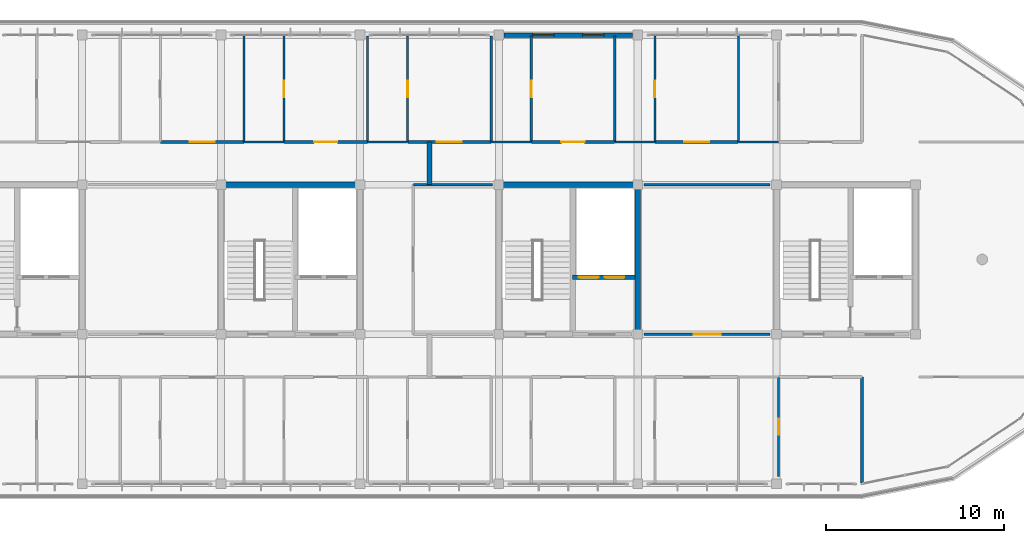
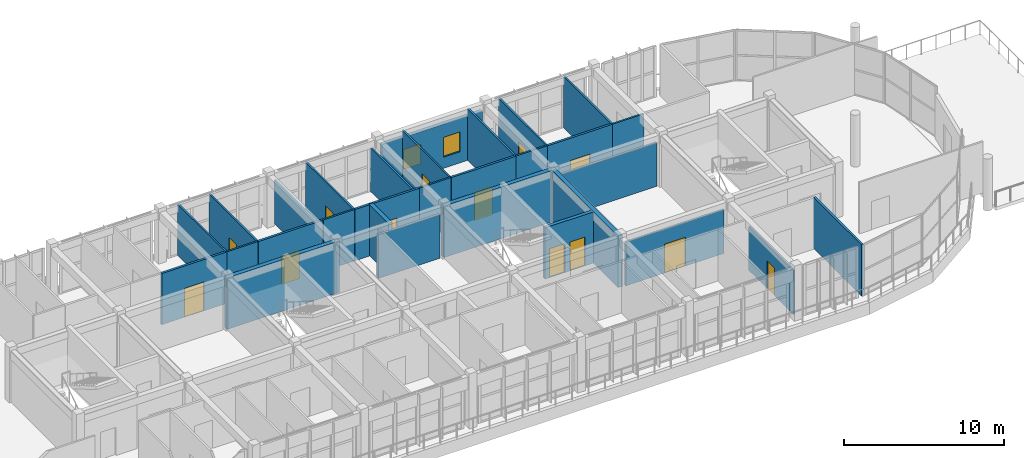
# One storey, part 40 of 44: 30 walls, 13 doors, 2 windows, 15 openings.
"""IFC4 building model written with IfcOpenShell, lengths in metres."""

from ifc_helpers import new_model, si_unit, direction, frame, frame_2d, origin, place, context, subcontext, project, spatial, rectangle, extrude, material, layer, layer_set, type_object, element, fill, save


model = new_model("IFC4")

# Units and contexts
model_context = context("Model", 3, precision=1e-05, world=origin(), true_north=direction((0.0, 1.0)))
body_context = subcontext(model_context, "Body", "Model", "MODEL_VIEW")
ifc_project = project(units=[si_unit("LENGTHUNIT", "METRE"), si_unit("AREAUNIT", "SQUARE_METRE"), si_unit("VOLUMEUNIT", "CUBIC_METRE"), si_unit("PLANEANGLEUNIT", "RADIAN"), si_unit("MASSUNIT", "GRAM", prefix="KILO")], contexts=[model_context])

# Site, building, storey
site_placement = place(None, origin())
site = spatial("IfcSite", under=ifc_project, at=site_placement, CompositionType="ELEMENT")
building_placement = place(site_placement, origin())
building = spatial("IfcBuilding", under=site, at=building_placement, Name="Zizhar Promenade General Hospital", CompositionType="ELEMENT")
storey_placement = place(building_placement, frame((0.0, 0.0, 34.800048828125)))
storey = spatial("IfcBuildingStorey", under=building, at=storey_placement, Name="L08", CompositionType="ELEMENT", Elevation=34.800048828125)

# Wall, openings, windows
ifc_material_1 = material(Name="Precast concrete C40/50", Category="concrete")
ifc_layer_1 = layer(ifc_material_1, 0.260009765625)
ifc_layer_set_1 = layer_set([ifc_layer_1], Name="Precast concrete C40/50")
wall_type_1 = type_object("IfcWallType", Name="EW-PC-260", PredefinedType="STANDARD", material=ifc_layer_set_1)
wall_1_placement = place(storey_placement, frame((78.2900390625, 25.199951171875, 0.0), z_axis=(0.0, 0.0, 1.0), x_axis=(1.0, 0.0, 0.0)))
wall_1 = element("IfcWall", 1, at=wall_1_placement, inside=storey, type_object=wall_type_1, Name="Ward Precast Ribbon Pier L08-8-4", PredefinedType="STANDARD", context=body_context, shape_type="SweptSolid", body=[
    extrude(rectangle(XDim=7.219970703125, YDim=0.260009765625, at=frame_2d((3.60986328125, 0.0))), origin(), (0.0, 0.0, 1.0), 3.35498046875),
])
opening_1_placement = place(wall_1_placement, frame((1.606689453125, 0.0, 0.85009765625)))
opening_1 = element("IfcOpeningElement", 2, at=opening_1_placement, cuts=wall_1, Name="Opening W-05", PredefinedType="OPENING", context=body_context, shape_type="SweptSolid", body=[
    extrude(rectangle(XDim=1.199951171875, YDim=1.5, at=frame_2d((0.60009765625, 0.75))), frame((0.0, 0.14013671875, 0.0), z_axis=(0.0, -1.0, 0.0), x_axis=(1.0, 0.0, 0.0)), (0.0, 0.0, 1.0), 0.280029296875),
])
opening_2_placement = place(wall_1_placement, frame((4.413330078125, 0.0, 0.85009765625)))
opening_2 = element("IfcOpeningElement", 3, at=opening_2_placement, cuts=wall_1, Name="Opening W-05", PredefinedType="OPENING", context=body_context, shape_type="SweptSolid", body=[
    extrude(rectangle(XDim=1.199951171875, YDim=1.5, at=frame_2d((0.60009765625, 0.75))), frame((0.0, 0.14013671875, 0.0), z_axis=(0.0, -1.0, 0.0), x_axis=(1.0, 0.0, 0.0)), (0.0, 0.0, 1.0), 0.280029296875),
])
ifc_material_2 = material(Name="Anodised aluminium 6063-T6 and low-E glass", Category="aluminium")
window_type = type_object("IfcWindowType", Name="WIN-WARD-120x150", PartitioningType="SINGLE_PANEL", PredefinedType="WINDOW", material=ifc_material_2)
window_1_placement = place(opening_1_placement, origin())
window_1 = element("IfcWindow", 4, at=window_1_placement, inside=storey, type_object=window_type, Name="Ward Precast Ribbon Pier L08-8-4 Window 1", OverallHeight=1.5, OverallWidth=1.199951171875, PartitioningType="SINGLE_PANEL", PredefinedType="WINDOW", context=body_context, shape_type="SweptSolid", body=[
    extrude(rectangle(XDim=1.199951171875, YDim=1.5, at=frame_2d((0.60009765625, 0.75))), frame((0.0, 0.030029296875, 0.0), z_axis=(0.0, -1.0, 0.0), x_axis=(1.0, 0.0, 0.0)), (0.0, 0.0, 1.0), 0.06005859375),
])
fill(opening_1, window_1)
window_2_placement = place(opening_2_placement, origin())
window_2 = element("IfcWindow", 5, at=window_2_placement, inside=storey, type_object=window_type, Name="Ward Precast Ribbon Pier L08-8-4 Window 2", OverallHeight=1.5, OverallWidth=1.199951171875, PartitioningType="SINGLE_PANEL", PredefinedType="WINDOW", context=body_context, shape_type="SweptSolid", body=[
    extrude(rectangle(XDim=1.199951171875, YDim=1.5, at=frame_2d((0.60009765625, 0.75))), frame((0.0, 0.030029296875, 0.0), z_axis=(0.0, -1.0, 0.0), x_axis=(1.0, 0.0, 0.0)), (0.0, 0.0, 1.0), 0.06005859375),
])
fill(opening_2, window_2)

# Wall, opening, door
ifc_material_3 = material(Name="Clinical consultation partition")
ifc_layer_2 = layer(ifc_material_3, 0.14501953125)
ifc_layer_set_2 = layer_set([ifc_layer_2], Name="Clinical consultation partition")
wall_type_2 = type_object("IfcWallType", Name="IW-CLN-145", PredefinedType="PARTITIONING", material=ifc_layer_set_2)
wall_2_placement = place(storey_placement, frame((86.159912109375, 8.39990234375, 0.0), z_axis=(0.0, 0.0, 1.0), x_axis=(1.0, 0.0, 0.0)))
wall_2 = element("IfcWall", 6, at=wall_2_placement, inside=storey, type_object=wall_type_2, Name="Accessible Visitor Lounge and Clean Utility L08 S Partition", PredefinedType="PARTITIONING", context=body_context, shape_type="SweptSolid", body=[
    extrude(rectangle(XDim=7.080078125, YDim=0.14501953125, at=frame_2d((3.5400390625, 0.0))), origin(), (0.0, 0.0, 1.0), 3.320068359375),
])
opening_3_placement = place(wall_2_placement, frame((2.780029296875, 0.0, 0.0)))
opening_3 = element("IfcOpeningElement", 7, at=opening_3_placement, cuts=wall_2, Name="Opening D-28", PredefinedType="OPENING", context=body_context, shape_type="SweptSolid", body=[
    extrude(rectangle(XDim=1.52001953125, YDim=2.199951171875, at=frame_2d((0.760009765625, 1.10009765625))), frame((0.0, 0.08251953125, 0.0), z_axis=(0.0, -1.0, 0.0), x_axis=(1.0, 0.0, 0.0)), (0.0, 0.0, 1.0), 0.1650390625),
])
ifc_material_4 = material(Name="Fire-rated timber glazed lounge pair", Category="wood")
door_type_1 = type_object("IfcDoorType", Name="DR-LOUNGE-152x220", OperationType="DOUBLE_DOOR_SINGLE_SWING", PredefinedType="DOOR", material=ifc_material_4)
door_1_placement = place(opening_3_placement, origin())
door_1 = element("IfcDoor", 8, at=door_1_placement, inside=storey, type_object=door_type_1, Name="Accessible Visitor Lounge and Clean Utility L08 Door", OperationType="DOUBLE_DOOR_SINGLE_SWING", OverallHeight=2.199951171875, OverallWidth=1.52001953125, PredefinedType="DOOR", context=body_context, shape_type="SweptSolid", body=[
    extrude(rectangle(XDim=1.52001953125, YDim=2.199951171875, at=frame_2d((0.760009765625, 1.10009765625))), frame((0.0, 0.02490234375, 0.0), z_axis=(0.0, -1.0, 0.0), x_axis=(1.0, 0.0, 0.0)), (0.0, 0.0, 1.0), 0.050048828125),
])
fill(opening_3, door_1)

# Walls
wall_3_placement = place(storey_placement, frame((86.159912109375, 16.800048828125, 0.0), z_axis=(0.0, 0.0, 1.0), x_axis=(1.0, 0.0, 0.0)))
element("IfcWall", 9, at=wall_3_placement, inside=storey, type_object=wall_type_2, Name="Accessible Visitor Lounge and Clean Utility L08 N Partition", PredefinedType="PARTITIONING", context=body_context, shape_type="SweptSolid", body=[
    extrude(rectangle(XDim=7.080078125, YDim=0.14501953125, at=frame_2d((3.5400390625, 0.0))), origin(), (0.0, 0.0, 1.0), 3.320068359375),
])
ifc_material_5 = material(Name="Concrete C35/45", Category="concrete")
ifc_layer_3 = layer(ifc_material_5, 0.284912109375)
ifc_layer_set_3 = layer_set([ifc_layer_3], Name="Concrete C35/45")
wall_type_3 = type_object("IfcWallType", Name="IW-COMP-285", PredefinedType="STANDARD", material=ifc_layer_set_3)
wall_4_placement = place(storey_placement, frame((74.10009765625, 16.800048828125, 0.0), z_axis=(0.0, 0.0, 1.0), x_axis=(0.0, 1.0, 0.0)))
element("IfcWall", 10, at=wall_4_placement, inside=storey, type_object=wall_type_3, Name="Horizontal Fire Compartment Wall North (L08)", PredefinedType="STANDARD", context=body_context, shape_type="SweptSolid", body=[
    extrude(rectangle(XDim=2.39990234375, YDim=0.284912109375, at=frame_2d((1.199951171875, 0.0))), origin(), (0.0, 0.0, 1.0), 3.89990234375),
])

# Wall, openings, doors
ifc_material_6 = material(Name="Concrete C35/45", Category="concrete")
ifc_layer_4 = layer(ifc_material_6, 0.25)
ifc_layer_set_4 = layer_set([ifc_layer_4], Name="Concrete C35/45")
wall_type_4 = type_object("IfcWallType", Name="IW-SHAFT-250", PredefinedType="STANDARD", material=ifc_layer_set_4)
wall_5_placement = place(storey_placement, frame((82.14990234375, 11.60009765625, 0.0), z_axis=(0.0, 0.0, 1.0), x_axis=(1.0, 0.0, 0.0)))
wall_5 = element("IfcWall", 11, at=wall_5_placement, inside=storey, type_object=wall_type_4, Name="Core C4 Lift Shaft Landing Wall (L08)", PredefinedType="STANDARD", context=body_context, shape_type="SweptSolid", body=[
    extrude(rectangle(XDim=3.5, YDim=0.25, at=frame_2d((1.75, 0.0))), origin(), (0.0, 0.0, 1.0), 3.89990234375),
])
opening_4_placement = place(wall_5_placement, frame((0.35009765625, 0.0, 0.0)))
opening_4 = element("IfcOpeningElement", 12, at=opening_4_placement, cuts=wall_5, Name="Opening LD-11", PredefinedType="OPENING", context=body_context, shape_type="SweptSolid", body=[
    extrude(rectangle(XDim=1.10009765625, YDim=2.199951171875, at=frame_2d((0.550048828125, 1.10009765625))), frame((0.0, 0.135009765625, 0.0), z_axis=(0.0, -1.0, 0.0), x_axis=(1.0, 0.0, 0.0)), (0.0, 0.0, 1.0), 0.27001953125),
])
opening_5_placement = place(wall_5_placement, frame((1.800048828125, 0.0, 0.0)))
opening_5 = element("IfcOpeningElement", 13, at=opening_5_placement, cuts=wall_5, Name="Opening LD-11", PredefinedType="OPENING", context=body_context, shape_type="SweptSolid", body=[
    extrude(rectangle(XDim=1.10009765625, YDim=2.199951171875, at=frame_2d((0.550048828125, 1.10009765625))), frame((0.0, 0.135009765625, 0.0), z_axis=(0.0, -1.0, 0.0), x_axis=(1.0, 0.0, 0.0)), (0.0, 0.0, 1.0), 0.27001953125),
])
ifc_material_7 = material(Name="Stainless Steel S355 passenger lift landing door", Category="steel")
door_type_2 = type_object("IfcDoorType", Name="DR-LIFT-LD11", OperationType="SLIDING_TO_LEFT", PredefinedType="DOOR", material=ifc_material_7)
door_2_placement = place(opening_4_placement, origin())
door_2 = element("IfcDoor", 14, at=door_2_placement, inside=storey, type_object=door_type_2, Name="Lift LB-03 Sliding Landing Door (L08)", OperationType="SLIDING_TO_LEFT", OverallHeight=2.199951171875, OverallWidth=1.10009765625, PredefinedType="DOOR", context=body_context, shape_type="SweptSolid", body=[
    extrude(rectangle(XDim=1.10009765625, YDim=2.199951171875, at=frame_2d((0.550048828125, 1.10009765625))), frame((0.0, 0.02490234375, 0.0), z_axis=(0.0, -1.0, 0.0), x_axis=(1.0, 0.0, 0.0)), (0.0, 0.0, 1.0), 0.050048828125),
])
fill(opening_4, door_2)
door_3_placement = place(opening_5_placement, origin())
door_3 = element("IfcDoor", 15, at=door_3_placement, inside=storey, type_object=door_type_2, Name="Lift LP-03 Sliding Landing Door (L08)", OperationType="SLIDING_TO_LEFT", OverallHeight=2.199951171875, OverallWidth=1.10009765625, PredefinedType="DOOR", context=body_context, shape_type="SweptSolid", body=[
    extrude(rectangle(XDim=1.10009765625, YDim=2.199951171875, at=frame_2d((0.550048828125, 1.10009765625))), frame((0.0, 0.02490234375, 0.0), z_axis=(0.0, -1.0, 0.0), x_axis=(1.0, 0.0, 0.0)), (0.0, 0.0, 1.0), 0.050048828125),
])
fill(opening_5, door_3)

# Wall, opening, door
ifc_material_8 = material(Name="Acoustic patient bedroom partition")
ifc_layer_5 = layer(ifc_material_8, 0.155029296875)
ifc_layer_set_5 = layer_set([ifc_layer_5], Name="Acoustic patient bedroom partition")
wall_type_5 = type_object("IfcWallType", Name="IW-WARD-155", PredefinedType="PARTITIONING", material=ifc_layer_set_5)
wall_6_placement = place(storey_placement, frame((59.0029296875, 19.199951171875, 0.0), z_axis=(0.0, 0.0, 1.0), x_axis=(1.0, 0.0, 0.0)))
wall_6 = element("IfcWall", 16, at=wall_6_placement, inside=storey, type_object=wall_type_5, Name="Adolescent Inpatient Ward L08-N02 S Partition", PredefinedType="PARTITIONING", context=body_context, shape_type="SweptSolid", body=[
    extrude(rectangle(XDim=4.673095703125, YDim=0.155029296875, at=frame_2d((2.33642578125, 0.0))), origin(), (0.0, 0.0, 1.0), 3.89990234375),
])
opening_6_placement = place(wall_6_placement, frame((1.636474609375, 0.0, 0.0)))
opening_6 = element("IfcOpeningElement", 17, at=opening_6_placement, cuts=wall_6, Name="Opening D-06", PredefinedType="OPENING", context=body_context, shape_type="SweptSolid", body=[
    extrude(rectangle(XDim=1.39990234375, YDim=2.199951171875, at=frame_2d((0.699951171875, 1.10009765625))), frame((0.0, 0.08740234375, 0.0), z_axis=(0.0, -1.0, 0.0), x_axis=(1.0, 0.0, 0.0)), (0.0, 0.0, 1.0), 0.175048828125),
])
ifc_material_9 = material(Name="Fire-rated timber hospital bed leaf", Category="wood")
door_type_3 = type_object("IfcDoorType", Name="DR-BED-WARD-140x220", OperationType="NOTDEFINED", PredefinedType="DOOR", material=ifc_material_9)
door_4_placement = place(opening_6_placement, origin())
door_4 = element("IfcDoor", 18, at=door_4_placement, inside=storey, type_object=door_type_3, Name="Adolescent Inpatient Ward L08-N02 Door", OperationType="SINGLE_SWING_LEFT", OverallHeight=2.199951171875, OverallWidth=1.39990234375, PredefinedType="DOOR", context=body_context, shape_type="SweptSolid", body=[
    extrude(rectangle(XDim=1.39990234375, YDim=2.199951171875, at=frame_2d((0.699951171875, 1.10009765625))), frame((0.0, 0.02490234375, 0.0), z_axis=(0.0, -1.0, 0.0), x_axis=(1.0, 0.0, 0.0)), (0.0, 0.0, 1.0), 0.050048828125),
])
fill(opening_6, door_4)

wall_7_placement = place(storey_placement, frame((65.946044921875, 19.199951171875, 0.0), z_axis=(0.0, 0.0, 1.0), x_axis=(1.0, 0.0, 0.0)))
wall_7 = element("IfcWall", 19, at=wall_7_placement, inside=storey, type_object=wall_type_5, Name="Paediatric Inpatient Ward L08-N03 S Partition", PredefinedType="PARTITIONING", context=body_context, shape_type="SweptSolid", body=[
    extrude(rectangle(XDim=4.6728515625, YDim=0.155029296875, at=frame_2d((2.33642578125, 0.0))), origin(), (0.0, 0.0, 1.0), 3.89990234375),
])
opening_7_placement = place(wall_7_placement, frame((1.6865234375, 0.0, 0.0)))
opening_7 = element("IfcOpeningElement", 20, at=opening_7_placement, cuts=wall_7, Name="Opening D-09", PredefinedType="OPENING", context=body_context, shape_type="SweptSolid", body=[
    extrude(rectangle(XDim=1.300048828125, YDim=2.14990234375, at=frame_2d((0.64990234375, 1.074951171875))), frame((0.0, 0.08740234375, 0.0), z_axis=(0.0, -1.0, 0.0), x_axis=(1.0, 0.0, 0.0)), (0.0, 0.0, 1.0), 0.175048828125),
])
ifc_material_10 = material(Name="Fire-rated timber paediatric bed leaf", Category="wood")
door_type_4 = type_object("IfcDoorType", Name="DR-BED-PAED-130x215", OperationType="NOTDEFINED", PredefinedType="DOOR", material=ifc_material_10)
door_5_placement = place(opening_7_placement, origin())
door_5 = element("IfcDoor", 21, at=door_5_placement, inside=storey, type_object=door_type_4, Name="Paediatric Inpatient Ward L08-N03 Door", OperationType="SINGLE_SWING_LEFT", OverallHeight=2.14990234375, OverallWidth=1.300048828125, PredefinedType="DOOR", context=body_context, shape_type="SweptSolid", body=[
    extrude(rectangle(XDim=1.300048828125, YDim=2.14990234375, at=frame_2d((0.64990234375, 1.074951171875))), frame((0.0, 0.02490234375, 0.0), z_axis=(0.0, -1.0, 0.0), x_axis=(1.0, 0.0, 0.0)), (0.0, 0.0, 1.0), 0.050048828125),
])
fill(opening_7, door_5)

wall_8_placement = place(storey_placement, frame((72.888916015625, 19.199951171875, 0.0), z_axis=(0.0, 0.0, 1.0), x_axis=(1.0, 0.0, 0.0)))
wall_8 = element("IfcWall", 22, at=wall_8_placement, inside=storey, type_object=wall_type_5, Name="Adolescent Inpatient Ward L08-N04 S Partition", PredefinedType="PARTITIONING", context=body_context, shape_type="SweptSolid", body=[
    extrude(rectangle(XDim=4.672119140625, YDim=0.155029296875, at=frame_2d((2.3359375, 0.0))), origin(), (0.0, 0.0, 1.0), 3.89990234375),
])
opening_8_placement = place(wall_8_placement, frame((1.635986328125, 0.0, 0.0)))
opening_8 = element("IfcOpeningElement", 23, at=opening_8_placement, cuts=wall_8, Name="Opening D-06", PredefinedType="OPENING", context=body_context, shape_type="SweptSolid", body=[
    extrude(rectangle(XDim=1.39990234375, YDim=2.199951171875, at=frame_2d((0.699951171875, 1.10009765625))), frame((0.0, 0.08740234375, 0.0), z_axis=(0.0, -1.0, 0.0), x_axis=(1.0, 0.0, 0.0)), (0.0, 0.0, 1.0), 0.175048828125),
])
door_6_placement = place(opening_8_placement, origin())
door_6 = element("IfcDoor", 24, at=door_6_placement, inside=storey, type_object=door_type_3, Name="Adolescent Inpatient Ward L08-N04 Door", OperationType="SINGLE_SWING_LEFT", OverallHeight=2.199951171875, OverallWidth=1.39990234375, PredefinedType="DOOR", context=body_context, shape_type="SweptSolid", body=[
    extrude(rectangle(XDim=1.39990234375, YDim=2.199951171875, at=frame_2d((0.699951171875, 1.10009765625))), frame((0.0, 0.02490234375, 0.0), z_axis=(0.0, -1.0, 0.0), x_axis=(1.0, 0.0, 0.0)), (0.0, 0.0, 1.0), 0.050048828125),
])
fill(opening_8, door_6)

wall_9_placement = place(storey_placement, frame((79.8310546875, 19.199951171875, 0.0), z_axis=(0.0, 0.0, 1.0), x_axis=(1.0, 0.0, 0.0)))
wall_9 = element("IfcWall", 25, at=wall_9_placement, inside=storey, type_object=wall_type_5, Name="Paediatric Inpatient Ward L08-N05 S Partition", PredefinedType="PARTITIONING", context=body_context, shape_type="SweptSolid", body=[
    extrude(rectangle(XDim=4.6728515625, YDim=0.155029296875, at=frame_2d((2.33642578125, 0.0))), origin(), (0.0, 0.0, 1.0), 3.89990234375),
])
opening_9_placement = place(wall_9_placement, frame((1.6865234375, 0.0, 0.0)))
opening_9 = element("IfcOpeningElement", 26, at=opening_9_placement, cuts=wall_9, Name="Opening D-09", PredefinedType="OPENING", context=body_context, shape_type="SweptSolid", body=[
    extrude(rectangle(XDim=1.300048828125, YDim=2.14990234375, at=frame_2d((0.64990234375, 1.074951171875))), frame((0.0, 0.08740234375, 0.0), z_axis=(0.0, -1.0, 0.0), x_axis=(1.0, 0.0, 0.0)), (0.0, 0.0, 1.0), 0.175048828125),
])
door_7_placement = place(opening_9_placement, origin())
door_7 = element("IfcDoor", 27, at=door_7_placement, inside=storey, type_object=door_type_4, Name="Paediatric Inpatient Ward L08-N05 Door", OperationType="SINGLE_SWING_LEFT", OverallHeight=2.14990234375, OverallWidth=1.300048828125, PredefinedType="DOOR", context=body_context, shape_type="SweptSolid", body=[
    extrude(rectangle(XDim=1.300048828125, YDim=2.14990234375, at=frame_2d((0.64990234375, 1.074951171875))), frame((0.0, 0.02490234375, 0.0), z_axis=(0.0, -1.0, 0.0), x_axis=(1.0, 0.0, 0.0)), (0.0, 0.0, 1.0), 0.050048828125),
])
fill(opening_9, door_7)

wall_10_placement = place(storey_placement, frame((86.77392578125, 19.199951171875, 0.0), z_axis=(0.0, 0.0, 1.0), x_axis=(1.0, 0.0, 0.0)))
wall_10 = element("IfcWall", 28, at=wall_10_placement, inside=storey, type_object=wall_type_5, Name="Adolescent Inpatient Ward L08-N06 S Partition", PredefinedType="PARTITIONING", context=body_context, shape_type="SweptSolid", body=[
    extrude(rectangle(XDim=4.673095703125, YDim=0.155029296875, at=frame_2d((2.33642578125, 0.0))), origin(), (0.0, 0.0, 1.0), 3.89990234375),
])
opening_10_placement = place(wall_10_placement, frame((1.636474609375, 0.0, 0.0)))
opening_10 = element("IfcOpeningElement", 29, at=opening_10_placement, cuts=wall_10, Name="Opening D-06", PredefinedType="OPENING", context=body_context, shape_type="SweptSolid", body=[
    extrude(rectangle(XDim=1.39990234375, YDim=2.199951171875, at=frame_2d((0.699951171875, 1.10009765625))), frame((0.0, 0.08740234375, 0.0), z_axis=(0.0, -1.0, 0.0), x_axis=(1.0, 0.0, 0.0)), (0.0, 0.0, 1.0), 0.175048828125),
])
door_8_placement = place(opening_10_placement, origin())
door_8 = element("IfcDoor", 30, at=door_8_placement, inside=storey, type_object=door_type_3, Name="Adolescent Inpatient Ward L08-N06 Door", OperationType="SINGLE_SWING_LEFT", OverallHeight=2.199951171875, OverallWidth=1.39990234375, PredefinedType="DOOR", context=body_context, shape_type="SweptSolid", body=[
    extrude(rectangle(XDim=1.39990234375, YDim=2.199951171875, at=frame_2d((0.699951171875, 1.10009765625))), frame((0.0, 0.02490234375, 0.0), z_axis=(0.0, -1.0, 0.0), x_axis=(1.0, 0.0, 0.0)), (0.0, 0.0, 1.0), 0.050048828125),
])
fill(opening_10, door_8)

# Walls
wall_11_placement = place(storey_placement, frame((98.39990234375, 0.044921875, 0.0), z_axis=(0.0, 0.0, 1.0), x_axis=(0.0, 1.0, 0.0)))
element("IfcWall", 31, at=wall_11_placement, inside=storey, type_object=wall_type_5, Name="Paediatric Inpatient Ward L08-S07 E Partition", PredefinedType="PARTITIONING", context=body_context, shape_type="SweptSolid", body=[
    extrude(rectangle(XDim=5.955078125, YDim=0.155029296875, at=frame_2d((2.9775390625, 0.0))), origin(), (0.0, 0.0, 1.0), 3.89990234375),
])
wall_12_placement = place(storey_placement, frame((73.199951171875, 16.800048828125, 0.0), z_axis=(0.0, 0.0, 1.0), x_axis=(1.0, 0.0, 0.0)))
element("IfcWall", 32, at=wall_12_placement, inside=storey, type_object=wall_type_5, Name="Paediatric Play and Family Therapy Room N Partition", PredefinedType="PARTITIONING", context=body_context, shape_type="SweptSolid", body=[
    extrude(rectangle(XDim=4.43994140625, YDim=0.155029296875, at=frame_2d((2.219970703125, 0.0))), origin(), (0.0, 0.0, 1.0), 3.320068359375),
])
ifc_material_11 = material(Name="Moisture-resistant en-suite wet partition")
ifc_layer_6 = layer(ifc_material_11, 0.125)
ifc_layer_set_6 = layer_set([ifc_layer_6], Name="Moisture-resistant en-suite wet partition")
wall_type_6 = type_object("IfcWallType", Name="IW-WET-125", PredefinedType="PARTITIONING", material=ifc_layer_set_6)
wall_13_placement = place(storey_placement, frame((63.685791015625, 19.199951171875, 0.0), z_axis=(0.0, 0.0, 1.0), x_axis=(1.0, 0.0, 0.0)))
element("IfcWall", 33, at=wall_13_placement, inside=storey, type_object=wall_type_6, Name="En-Suite Patient Bathroom L08-N03 S Partition", PredefinedType="PARTITIONING", context=body_context, shape_type="SweptSolid", body=[
    extrude(rectangle(XDim=2.25, YDim=0.125, at=frame_2d((1.125, 0.0))), origin(), (0.0, 0.0, 1.0), 3.89990234375),
])
wall_14_placement = place(storey_placement, frame((63.685791015625, 19.199951171875, 0.0), z_axis=(0.0, 0.0, 1.0), x_axis=(0.0, 1.0, 0.0)))
element("IfcWall", 34, at=wall_14_placement, inside=storey, type_object=wall_type_6, Name="En-Suite Patient Bathroom L08-N03 W Partition", PredefinedType="PARTITIONING", context=body_context, shape_type="SweptSolid", body=[
    extrude(rectangle(XDim=5.955078125, YDim=0.125, at=frame_2d((2.9775390625, 0.0))), origin(), (0.0, 0.0, 1.0), 3.89990234375),
])

# Wall, opening, door
wall_15_placement = place(storey_placement, frame((65.935791015625, 19.199951171875, 0.0), z_axis=(0.0, 0.0, 1.0), x_axis=(0.0, 1.0, 0.0)))
wall_15 = element("IfcWall", 35, at=wall_15_placement, inside=storey, type_object=wall_type_6, Name="En-Suite Patient Bathroom L08-N03 E Partition", PredefinedType="PARTITIONING", context=body_context, shape_type="SweptSolid", body=[
    extrude(rectangle(XDim=5.955078125, YDim=0.125, at=frame_2d((2.9775390625, 0.0))), origin(), (0.0, 0.0, 1.0), 3.89990234375),
])
opening_11_placement = place(wall_15_placement, frame((2.517578125, 0.0, 0.0)))
opening_11 = element("IfcOpeningElement", 36, at=opening_11_placement, cuts=wall_15, Name="Opening D-18", PredefinedType="OPENING", context=body_context, shape_type="SweptSolid", body=[
    extrude(rectangle(XDim=0.919921875, YDim=2.10009765625, at=frame_2d((0.4599609375, 1.050048828125))), frame((0.0, 0.072509765625, 0.0), z_axis=(0.0, -1.0, 0.0), x_axis=(1.0, 0.0, 0.0)), (0.0, 0.0, 1.0), 0.14501953125),
])
ifc_material_12 = material(Name="Moisture-resistant timber en-suite leaf", Category="wood")
door_type_5 = type_object("IfcDoorType", Name="DR-ENS-STD-092x210", OperationType="NOTDEFINED", PredefinedType="DOOR", material=ifc_material_12)
door_9_placement = place(opening_11_placement, origin())
door_9 = element("IfcDoor", 37, at=door_9_placement, inside=storey, type_object=door_type_5, Name="En-Suite Patient Bathroom L08-N03 Door", OperationType="SINGLE_SWING_LEFT", OverallHeight=2.10009765625, OverallWidth=0.919921875, PredefinedType="DOOR", context=body_context, shape_type="SweptSolid", body=[
    extrude(rectangle(XDim=0.919921875, YDim=2.10009765625, at=frame_2d((0.4599609375, 1.050048828125))), frame((0.0, 0.02490234375, 0.0), z_axis=(0.0, -1.0, 0.0), x_axis=(1.0, 0.0, 0.0)), (0.0, 0.0, 1.0), 0.050048828125),
])
fill(opening_11, door_9)

# Walls
wall_16_placement = place(storey_placement, frame((70.628662109375, 19.199951171875, 0.0), z_axis=(0.0, 0.0, 1.0), x_axis=(1.0, 0.0, 0.0)))
element("IfcWall", 38, at=wall_16_placement, inside=storey, type_object=wall_type_6, Name="En-Suite Patient Bathroom L08-N04 S Partition", PredefinedType="PARTITIONING", context=body_context, shape_type="SweptSolid", body=[
    extrude(rectangle(XDim=2.25, YDim=0.125, at=frame_2d((1.125, 0.0))), origin(), (0.0, 0.0, 1.0), 3.89990234375),
])
wall_17_placement = place(storey_placement, frame((70.628662109375, 19.199951171875, 0.0), z_axis=(0.0, 0.0, 1.0), x_axis=(0.0, 1.0, 0.0)))
element("IfcWall", 39, at=wall_17_placement, inside=storey, type_object=wall_type_6, Name="En-Suite Patient Bathroom L08-N04 W Partition", PredefinedType="PARTITIONING", context=body_context, shape_type="SweptSolid", body=[
    extrude(rectangle(XDim=5.955078125, YDim=0.125, at=frame_2d((2.9775390625, 0.0))), origin(), (0.0, 0.0, 1.0), 3.320068359375),
])

# Wall, opening, door
wall_18_placement = place(storey_placement, frame((72.878662109375, 19.199951171875, 0.0), z_axis=(0.0, 0.0, 1.0), x_axis=(0.0, 1.0, 0.0)))
wall_18 = element("IfcWall", 40, at=wall_18_placement, inside=storey, type_object=wall_type_6, Name="En-Suite Patient Bathroom L08-N04 E Partition", PredefinedType="PARTITIONING", context=body_context, shape_type="SweptSolid", body=[
    extrude(rectangle(XDim=5.955078125, YDim=0.125, at=frame_2d((2.9775390625, 0.0))), origin(), (0.0, 0.0, 1.0), 3.89990234375),
])
opening_12_placement = place(wall_18_placement, frame((2.517578125, 0.0, 0.0)))
opening_12 = element("IfcOpeningElement", 41, at=opening_12_placement, cuts=wall_18, Name="Opening D-18", PredefinedType="OPENING", context=body_context, shape_type="SweptSolid", body=[
    extrude(rectangle(XDim=0.919921875, YDim=2.10009765625, at=frame_2d((0.4599609375, 1.050048828125))), frame((0.0, 0.072509765625, 0.0), z_axis=(0.0, -1.0, 0.0), x_axis=(1.0, 0.0, 0.0)), (0.0, 0.0, 1.0), 0.14501953125),
])
door_10_placement = place(opening_12_placement, origin())
door_10 = element("IfcDoor", 42, at=door_10_placement, inside=storey, type_object=door_type_5, Name="En-Suite Patient Bathroom L08-N04 Door", OperationType="SINGLE_SWING_LEFT", OverallHeight=2.10009765625, OverallWidth=0.919921875, PredefinedType="DOOR", context=body_context, shape_type="SweptSolid", body=[
    extrude(rectangle(XDim=0.919921875, YDim=2.10009765625, at=frame_2d((0.4599609375, 1.050048828125))), frame((0.0, 0.02490234375, 0.0), z_axis=(0.0, -1.0, 0.0), x_axis=(1.0, 0.0, 0.0)), (0.0, 0.0, 1.0), 0.050048828125),
])
fill(opening_12, door_10)

# Walls
wall_19_placement = place(storey_placement, frame((77.5712890625, 19.199951171875, 0.0), z_axis=(0.0, 0.0, 1.0), x_axis=(1.0, 0.0, 0.0)))
element("IfcWall", 43, at=wall_19_placement, inside=storey, type_object=wall_type_6, Name="En-Suite Patient Bathroom L08-N05 S Partition", PredefinedType="PARTITIONING", context=body_context, shape_type="SweptSolid", body=[
    extrude(rectangle(XDim=2.25, YDim=0.125, at=frame_2d((1.125, 0.0))), origin(), (0.0, 0.0, 1.0), 3.89990234375),
])
wall_20_placement = place(storey_placement, frame((77.5712890625, 19.199951171875, 0.0), z_axis=(0.0, 0.0, 1.0), x_axis=(0.0, 1.0, 0.0)))
element("IfcWall", 44, at=wall_20_placement, inside=storey, type_object=wall_type_6, Name="En-Suite Patient Bathroom L08-N05 W Partition", PredefinedType="PARTITIONING", context=body_context, shape_type="SweptSolid", body=[
    extrude(rectangle(XDim=5.955078125, YDim=0.125, at=frame_2d((2.9775390625, 0.0))), origin(), (0.0, 0.0, 1.0), 3.320068359375),
])

# Wall, opening, door
wall_21_placement = place(storey_placement, frame((79.8212890625, 19.199951171875, 0.0), z_axis=(0.0, 0.0, 1.0), x_axis=(0.0, 1.0, 0.0)))
wall_21 = element("IfcWall", 45, at=wall_21_placement, inside=storey, type_object=wall_type_6, Name="En-Suite Patient Bathroom L08-N05 E Partition", PredefinedType="PARTITIONING", context=body_context, shape_type="SweptSolid", body=[
    extrude(rectangle(XDim=5.955078125, YDim=0.125, at=frame_2d((2.9775390625, 0.0))), origin(), (0.0, 0.0, 1.0), 3.89990234375),
])
opening_13_placement = place(wall_21_placement, frame((2.517578125, 0.0, 0.0)))
opening_13 = element("IfcOpeningElement", 46, at=opening_13_placement, cuts=wall_21, Name="Opening D-18", PredefinedType="OPENING", context=body_context, shape_type="SweptSolid", body=[
    extrude(rectangle(XDim=0.919921875, YDim=2.10009765625, at=frame_2d((0.4599609375, 1.050048828125))), frame((0.0, 0.072509765625, 0.0), z_axis=(0.0, -1.0, 0.0), x_axis=(1.0, 0.0, 0.0)), (0.0, 0.0, 1.0), 0.14501953125),
])
door_11_placement = place(opening_13_placement, origin())
door_11 = element("IfcDoor", 47, at=door_11_placement, inside=storey, type_object=door_type_5, Name="En-Suite Patient Bathroom L08-N05 Door", OperationType="SINGLE_SWING_LEFT", OverallHeight=2.10009765625, OverallWidth=0.919921875, PredefinedType="DOOR", context=body_context, shape_type="SweptSolid", body=[
    extrude(rectangle(XDim=0.919921875, YDim=2.10009765625, at=frame_2d((0.4599609375, 1.050048828125))), frame((0.0, 0.02490234375, 0.0), z_axis=(0.0, -1.0, 0.0), x_axis=(1.0, 0.0, 0.0)), (0.0, 0.0, 1.0), 0.050048828125),
])
fill(opening_13, door_11)

# Walls
wall_22_placement = place(storey_placement, frame((84.514404296875, 19.199951171875, 0.0), z_axis=(0.0, 0.0, 1.0), x_axis=(1.0, 0.0, 0.0)))
element("IfcWall", 48, at=wall_22_placement, inside=storey, type_object=wall_type_6, Name="En-Suite Patient Bathroom L08-N06 S Partition", PredefinedType="PARTITIONING", context=body_context, shape_type="SweptSolid", body=[
    extrude(rectangle(XDim=2.25, YDim=0.125, at=frame_2d((1.125, 0.0))), origin(), (0.0, 0.0, 1.0), 3.89990234375),
])
wall_23_placement = place(storey_placement, frame((84.514404296875, 19.199951171875, 0.0), z_axis=(0.0, 0.0, 1.0), x_axis=(0.0, 1.0, 0.0)))
element("IfcWall", 49, at=wall_23_placement, inside=storey, type_object=wall_type_6, Name="En-Suite Patient Bathroom L08-N06 W Partition", PredefinedType="PARTITIONING", context=body_context, shape_type="SweptSolid", body=[
    extrude(rectangle(XDim=5.955078125, YDim=0.125, at=frame_2d((2.9775390625, 0.0))), origin(), (0.0, 0.0, 1.0), 3.89990234375),
])

# Wall, opening, door
wall_24_placement = place(storey_placement, frame((86.764404296875, 19.199951171875, 0.0), z_axis=(0.0, 0.0, 1.0), x_axis=(0.0, 1.0, 0.0)))
wall_24 = element("IfcWall", 50, at=wall_24_placement, inside=storey, type_object=wall_type_6, Name="En-Suite Patient Bathroom L08-N06 E Partition", PredefinedType="PARTITIONING", context=body_context, shape_type="SweptSolid", body=[
    extrude(rectangle(XDim=5.955078125, YDim=0.125, at=frame_2d((2.9775390625, 0.0))), origin(), (0.0, 0.0, 1.0), 3.89990234375),
])
opening_14_placement = place(wall_24_placement, frame((2.517578125, 0.0, 0.0)))
opening_14 = element("IfcOpeningElement", 51, at=opening_14_placement, cuts=wall_24, Name="Opening D-18", PredefinedType="OPENING", context=body_context, shape_type="SweptSolid", body=[
    extrude(rectangle(XDim=0.919921875, YDim=2.10009765625, at=frame_2d((0.4599609375, 1.050048828125))), frame((0.0, 0.072509765625, 0.0), z_axis=(0.0, -1.0, 0.0), x_axis=(1.0, 0.0, 0.0)), (0.0, 0.0, 1.0), 0.14501953125),
])
door_12_placement = place(opening_14_placement, origin())
door_12 = element("IfcDoor", 52, at=door_12_placement, inside=storey, type_object=door_type_5, Name="En-Suite Patient Bathroom L08-N06 Door", OperationType="SINGLE_SWING_LEFT", OverallHeight=2.10009765625, OverallWidth=0.919921875, PredefinedType="DOOR", context=body_context, shape_type="SweptSolid", body=[
    extrude(rectangle(XDim=0.919921875, YDim=2.10009765625, at=frame_2d((0.4599609375, 1.050048828125))), frame((0.0, 0.02490234375, 0.0), z_axis=(0.0, -1.0, 0.0), x_axis=(1.0, 0.0, 0.0)), (0.0, 0.0, 1.0), 0.050048828125),
])
fill(opening_14, door_12)

wall_25_placement = place(storey_placement, frame((93.70703125, 0.405029296875, 0.0), z_axis=(0.0, 0.0, 1.0), x_axis=(0.0, 1.0, 0.0)))
wall_25 = element("IfcWall", 53, at=wall_25_placement, inside=storey, type_object=wall_type_6, Name="En-Suite Patient Bathroom L08-S07 E Partition", PredefinedType="PARTITIONING", context=body_context, shape_type="SweptSolid", body=[
    extrude(rectangle(XDim=5.594970703125, YDim=0.125, at=frame_2d((2.79736328125, 0.0))), origin(), (0.0, 0.0, 1.0), 3.304931640625),
])
opening_15_placement = place(wall_25_placement, frame((2.33740234375, 0.0, 0.0)))
opening_15 = element("IfcOpeningElement", 54, at=opening_15_placement, cuts=wall_25, Name="Opening D-18", PredefinedType="OPENING", context=body_context, shape_type="SweptSolid", body=[
    extrude(rectangle(XDim=0.919921875, YDim=2.10009765625, at=frame_2d((0.4599609375, 1.050048828125))), frame((0.0, 0.072509765625, 0.0), z_axis=(0.0, -1.0, 0.0), x_axis=(1.0, 0.0, 0.0)), (0.0, 0.0, 1.0), 0.14501953125),
])
door_13_placement = place(opening_15_placement, origin())
door_13 = element("IfcDoor", 55, at=door_13_placement, inside=storey, type_object=door_type_5, Name="En-Suite Patient Bathroom L08-S07 Door", OperationType="SINGLE_SWING_RIGHT", OverallHeight=2.10009765625, OverallWidth=0.919921875, PredefinedType="DOOR", context=body_context, shape_type="SweptSolid", body=[
    extrude(rectangle(XDim=0.919921875, YDim=2.10009765625, at=frame_2d((0.4599609375, 1.050048828125))), frame((0.0, 0.02490234375, 0.0), z_axis=(0.0, -1.0, 0.0), x_axis=(1.0, 0.0, 0.0)), (0.0, 0.0, 1.0), 0.050048828125),
])
fill(opening_15, door_13)

# Walls
wall_26_placement = place(storey_placement, frame((91.45703125, 19.199951171875, 0.0), z_axis=(0.0, 0.0, 1.0), x_axis=(1.0, 0.0, 0.0)))
element("IfcWall", 56, at=wall_26_placement, inside=storey, type_object=wall_type_6, Name="En-Suite Patient Bathroom L08-N07 S Partition", PredefinedType="PARTITIONING", context=body_context, shape_type="SweptSolid", body=[
    extrude(rectangle(XDim=2.25, YDim=0.125, at=frame_2d((1.125, 0.0))), origin(), (0.0, 0.0, 1.0), 3.89990234375),
])
wall_27_placement = place(storey_placement, frame((91.45703125, 19.199951171875, 0.0), z_axis=(0.0, 0.0, 1.0), x_axis=(0.0, 1.0, 0.0)))
element("IfcWall", 57, at=wall_27_placement, inside=storey, type_object=wall_type_6, Name="En-Suite Patient Bathroom L08-N07 W Partition", PredefinedType="PARTITIONING", context=body_context, shape_type="SweptSolid", body=[
    extrude(rectangle(XDim=5.955078125, YDim=0.125, at=frame_2d((2.9775390625, 0.0))), origin(), (0.0, 0.0, 1.0), 3.89990234375),
])
ifc_material_13 = material(Name="Concrete C40/50", Category="concrete")
ifc_layer_7 = layer(ifc_material_13, 0.300048828125)
ifc_layer_set_7 = layer_set([ifc_layer_7], Name="Concrete C40/50")
wall_type_7 = type_object("IfcWallType", Name="WL-CORE-300", PredefinedType="SHEAR", material=ifc_layer_set_7)
wall_28_placement = place(storey_placement, frame((62.25, 16.800048828125, 0.0), z_axis=(0.0, 0.0, 1.0), x_axis=(1.0, 0.0, 0.0)))
element("IfcWall", 58, at=wall_28_placement, inside=storey, type_object=wall_type_7, Name="Core C3 North Shear Wall L08", PredefinedType="SHEAR", context=body_context, shape_type="SweptSolid", body=[
    extrude(rectangle(XDim=8.10009765625, YDim=0.300048828125, at=frame_2d((4.050048828125, 0.0))), origin(), (0.0, 0.0, 1.0), 3.919921875),
])
wall_29_placement = place(storey_placement, frame((77.85009765625, 16.800048828125, 0.0), z_axis=(0.0, 0.0, 1.0), x_axis=(1.0, 0.0, 0.0)))
element("IfcWall", 59, at=wall_29_placement, inside=storey, type_object=wall_type_7, Name="Core C4 North Shear Wall L08", PredefinedType="SHEAR", context=body_context, shape_type="SweptSolid", body=[
    extrude(rectangle(XDim=8.099853515625, YDim=0.300048828125, at=frame_2d((4.0498046875, 0.0))), origin(), (0.0, 0.0, 1.0), 3.919921875),
])
wall_30_placement = place(storey_placement, frame((85.800048828125, 8.39990234375, 0.0), z_axis=(0.0, 0.0, 1.0), x_axis=(0.0, 1.0, 0.0)))
element("IfcWall", 60, at=wall_30_placement, inside=storey, type_object=wall_type_7, Name="Core C4 East Shear Wall L08", PredefinedType="SHEAR", context=body_context, shape_type="SweptSolid", body=[
    extrude(rectangle(XDim=8.400146484375, YDim=0.300048828125, at=frame_2d((4.2001953125, 0.0))), origin(), (0.0, 0.0, 1.0), 3.919921875),
])

save(model, "model.ifc")
